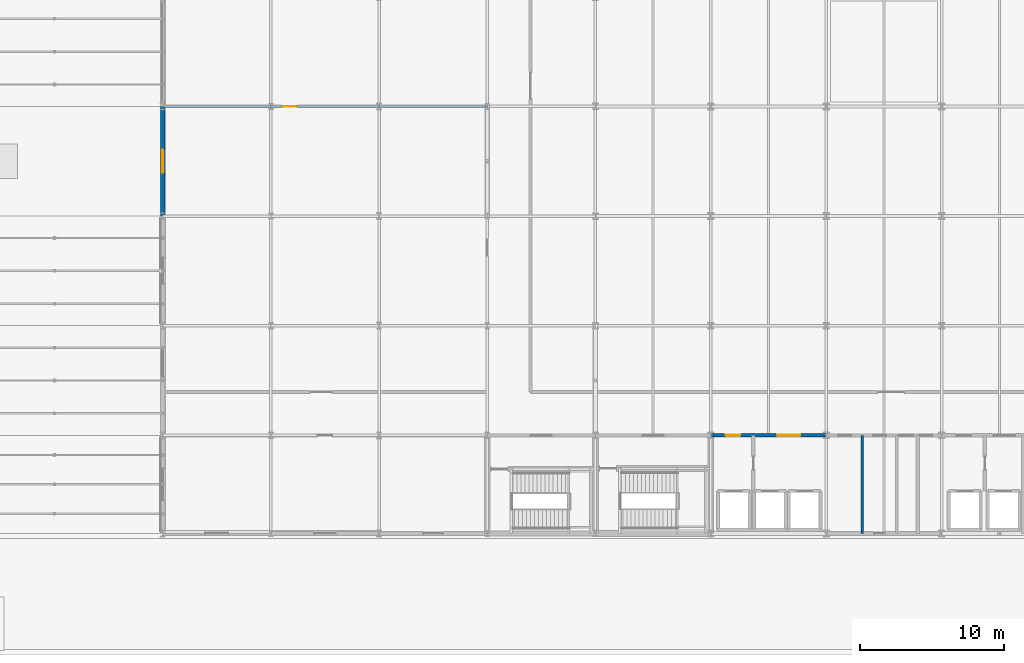
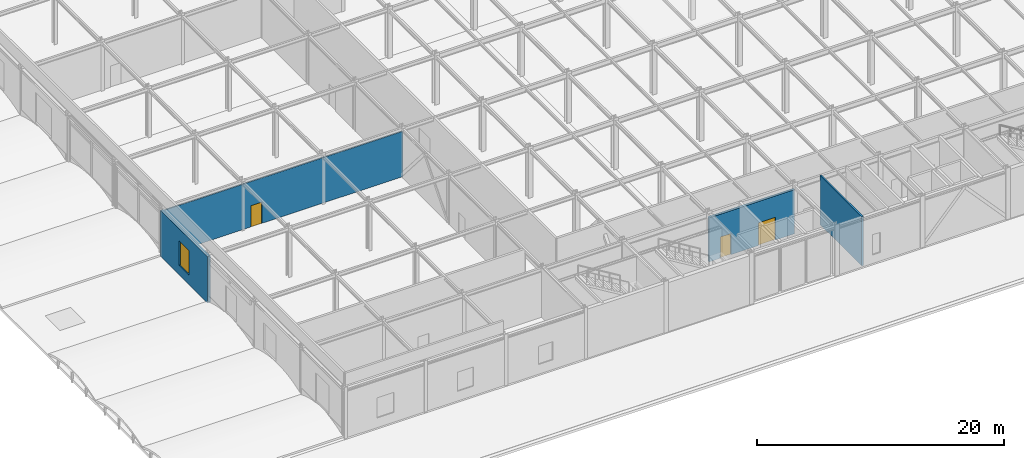
# One storey, part 94 of 113: 4 walls, 3 doors, 1 window, 4 openings.
"""IFC4 building model written with IfcOpenShell, lengths in metres."""

from ifc_helpers import new_model, si_unit, direction, frame, frame_2d, origin, place, context, subcontext, project, spatial, rectangle, extrude, material, layer, layer_set, type_object, element, fill, save


model = new_model("IFC4")

# Units and contexts
model_context = context("Model", 3, precision=1e-05, world=origin(), true_north=direction((0.0, 1.0)))
body_context = subcontext(model_context, "Body", "Model", "MODEL_VIEW")
ifc_project = project(units=[si_unit("LENGTHUNIT", "METRE"), si_unit("AREAUNIT", "SQUARE_METRE"), si_unit("VOLUMEUNIT", "CUBIC_METRE"), si_unit("PLANEANGLEUNIT", "RADIAN"), si_unit("MASSUNIT", "GRAM", prefix="KILO")], contexts=[model_context])

# Site, building, storey
site_placement = place(None, origin())
site = spatial("IfcSite", under=ifc_project, at=site_placement, CompositionType="ELEMENT")
building_placement = place(site_placement, origin())
building = spatial("IfcBuilding", under=site, at=building_placement, Name="Shalkamar Park Central Library", CompositionType="ELEMENT")
storey_placement = place(building_placement, frame((0.0, 0.0, 5.39990234375)))
storey = spatial("IfcBuildingStorey", under=building, at=storey_placement, Name="L02", CompositionType="ELEMENT", Elevation=5.39990234375)

# Wall, openings, doors
ifc_material_1 = material(Name="Reinforced fire-compartment masonry wall", Category="masonry")
ifc_layer_1 = layer(ifc_material_1, 0.239990234375)
ifc_layer_set_1 = layer_set([ifc_layer_1], Name="CompartmentWall_240")
wall_type_1 = type_object("IfcWallType", Name="Compartment Wall 240", PredefinedType="PARTITIONING", material=ifc_layer_set_1)
wall_1_placement = place(storey_placement, frame((173.0, 255.199951171875, 0.0), z_axis=(0.0, 0.0, 1.0), x_axis=(1.0, 0.0, 0.0)))
wall_1 = element("IfcWall", 1, at=wall_1_placement, inside=storey, type_object=wall_type_1, Name="Interior Partition WL-INT-L02-007", PredefinedType="PARTITIONING", context=body_context, shape_type="SweptSolid", body=[
    extrude(rectangle(XDim=8.0, YDim=0.239990234375, at=frame_2d((4.0, 0.0))), origin(), (0.0, 0.0, 1.0), 4.358154296875),
])
opening_1_placement = place(wall_1_placement, frame((1.050048828125, 0.0, 0.0)))
opening_1 = element("IfcOpeningElement", 2, at=opening_1_placement, cuts=wall_1, Name="Opening DR-L02-003", PredefinedType="OPENING", context=body_context, shape_type="SweptSolid", body=[
    extrude(rectangle(XDim=1.0, YDim=2.10009765625, at=frame_2d((0.5, 1.050048828125))), frame((0.0, 0.134765625, 0.0), z_axis=(0.0, -1.0, 0.0), x_axis=(1.0, 0.0, 0.0)), (0.0, 0.0, 1.0), 0.269775390625),
])
opening_2_placement = place(wall_1_placement, frame((4.60009765625, 0.0, 0.0)))
opening_2 = element("IfcOpeningElement", 3, at=opening_2_placement, cuts=wall_1, Name="Opening DR-L02-004", PredefinedType="OPENING", context=body_context, shape_type="SweptSolid", body=[
    extrude(rectangle(XDim=1.60009765625, YDim=2.25, at=frame_2d((0.800048828125, 1.125))), frame((0.0, 0.134765625, 0.0), z_axis=(0.0, -1.0, 0.0), x_axis=(1.0, 0.0, 0.0)), (0.0, 0.0, 1.0), 0.269775390625),
])
ifc_material_2 = material(Name="Steel S355", Category="steel")
door_type_1 = type_object("IfcDoorType", Name="Fire Door Single 1000x2100", OperationType="NOTDEFINED", PredefinedType="DOOR", material=ifc_material_2)
door_1_placement = place(opening_1_placement, frame((1.0, 0.0, 0.0), z_axis=(0.0, 0.0, 1.0), x_axis=(-1.0, 0.0, 0.0)))
door_1 = element("IfcDoor", 4, at=door_1_placement, inside=storey, type_object=door_type_1, Name="West Firefighting Lobby Door", OperationType="SINGLE_SWING_RIGHT", OverallHeight=2.10009765625, OverallWidth=1.0, PredefinedType="DOOR", context=body_context, shape_type="SweptSolid", body=[
    extrude(rectangle(XDim=1.0, YDim=2.10009765625, at=frame_2d((0.5, 1.050048828125))), frame((0.0, 0.02490234375, 0.0), z_axis=(0.0, -1.0, 0.0), x_axis=(1.0, 0.0, 0.0)), (0.0, 0.0, 1.0), 0.050048828125),
])
fill(opening_1, door_1)
door_type_2 = type_object("IfcDoorType", Name="Interior Door Double 1600x2250", OperationType="DOUBLE_DOOR_SINGLE_SWING", PredefinedType="DOOR", material=ifc_material_2)
door_2_placement = place(opening_2_placement, origin())
door_2 = element("IfcDoor", 5, at=door_2_placement, inside=storey, type_object=door_type_2, Name="West Lift Lobby Entrance", OperationType="DOUBLE_DOOR_SINGLE_SWING", OverallHeight=2.25, OverallWidth=1.60009765625, PredefinedType="DOOR", context=body_context, shape_type="SweptSolid", body=[
    extrude(rectangle(XDim=1.60009765625, YDim=2.25, at=frame_2d((0.800048828125, 1.125))), frame((0.0, 0.02490234375, 0.0), z_axis=(0.0, -1.0, 0.0), x_axis=(1.0, 0.0, 0.0)), (0.0, 0.0, 1.0), 0.050048828125),
])
fill(opening_2, door_2)

# Wall
ifc_material_3 = material(Name="Moisture-resistant sanitary partition", Category="masonry")
ifc_layer_2 = layer(ifc_material_3, 0.159912109375)
ifc_layer_set_2 = layer_set([ifc_layer_2], Name="PlumbingChaseWall_160")
wall_type_2 = type_object("IfcWallType", Name="Plumbing Chase Wall 160", PredefinedType="PARTITIONING", material=ifc_layer_set_2)
wall_2_placement = place(storey_placement, frame((183.5, 248.39990234375, 0.0), z_axis=(0.0, 0.0, 1.0), x_axis=(0.0, 1.0, 0.0)))
element("IfcWall", 6, at=wall_2_placement, inside=storey, type_object=wall_type_2, Name="Interior Partition WL-INT-L02-004", PredefinedType="PARTITIONING", context=body_context, shape_type="SweptSolid", body=[
    extrude(rectangle(XDim=6.800048828125, YDim=0.159912109375, at=frame_2d((3.39990234375, 0.0))), origin(), (0.0, 0.0, 1.0), 4.860107421875),
])

# Wall, opening, door
ifc_material_4 = material(Name="Lightweight acoustic stud partition", Category="masonry")
ifc_layer_3 = layer(ifc_material_4, 0.1201171875)
ifc_layer_set_3 = layer_set([ifc_layer_3], Name="StandardPartition_120")
wall_type_3 = type_object("IfcWallType", Name="Standard Partition 120", PredefinedType="PARTITIONING", material=ifc_layer_set_3)
wall_3_placement = place(storey_placement, frame((135.0, 278.0, 0.0), z_axis=(0.0, 0.0, 1.0), x_axis=(1.0, 0.0, 0.0)))
wall_3 = element("IfcWall", 7, at=wall_3_placement, inside=storey, type_object=wall_type_3, Name="Interior Partition WL-INT-L02-022", PredefinedType="PARTITIONING", context=body_context, shape_type="SweptSolid", body=[
    extrude(rectangle(XDim=22.5, YDim=0.1201171875, at=frame_2d((11.25, 0.0))), origin(), (0.0, 0.0, 1.0), 4.488037109375),
])
opening_3_placement = place(wall_3_placement, frame((8.300048828125, 0.0, 0.0)))
opening_3 = element("IfcOpeningElement", 8, at=opening_3_placement, cuts=wall_3, Name="Opening DR-L02-024", PredefinedType="OPENING", context=body_context, shape_type="SweptSolid", body=[
    extrude(rectangle(XDim=1.0, YDim=2.10009765625, at=frame_2d((0.5, 1.050048828125))), frame((0.0, 0.074951171875, 0.0), z_axis=(0.0, -1.0, 0.0), x_axis=(1.0, 0.0, 0.0)), (0.0, 0.0, 1.0), 0.14990234375),
])
door_type_3 = type_object("IfcDoorType", Name="Interior Door Single 1000x2100", OperationType="NOTDEFINED", PredefinedType="DOOR", material=ifc_material_2)
door_3_placement = place(opening_3_placement, origin())
door_3 = element("IfcDoor", 9, at=door_3_placement, inside=storey, type_object=door_type_3, Name="Cataloguing Suite Interconnect Door", OperationType="SINGLE_SWING_LEFT", OverallHeight=2.10009765625, OverallWidth=1.0, PredefinedType="DOOR", context=body_context, shape_type="SweptSolid", body=[
    extrude(rectangle(XDim=1.0, YDim=2.10009765625, at=frame_2d((0.5, 1.050048828125))), frame((0.0, 0.02490234375, 0.0), z_axis=(0.0, -1.0, 0.0), x_axis=(1.0, 0.0, 0.0)), (0.0, 0.0, 1.0), 0.050048828125),
])
fill(opening_3, door_3)

# Wall, opening, window
ifc_material_5 = material(Name="Travertine insulated rainscreen", Category="masonry")
ifc_layer_4 = layer(ifc_material_5, 0.2900390625)
ifc_layer_set_4 = layer_set([ifc_layer_4], Name="TravertineTerracottaWall_290")
wall_type_4 = type_object("IfcWallType", Name="Travertine Terracotta Wall 290", PredefinedType="SOLIDWALL", material=ifc_layer_set_4)
wall_4_placement = place(storey_placement, frame((135.0, 270.406005859375, 0.0), z_axis=(0.0, 0.0, 1.0), x_axis=(0.0, 1.0, 0.0)))
wall_4 = element("IfcWall", 10, at=wall_4_placement, inside=storey, type_object=wall_type_4, Name="Exterior Facade Wall WL-EXT-L02-071", PredefinedType="SOLIDWALL", context=body_context, shape_type="SweptSolid", body=[
    extrude(rectangle(XDim=7.587890625, YDim=0.2900390625, at=frame_2d((3.7939453125, 0.0))), origin(), (0.0, 0.0, 1.0), 4.578125),
])
opening_4_placement = place(wall_4_placement, frame((2.993896484375, 0.0, 0.949951171875)))
opening_4 = element("IfcOpeningElement", 11, at=opening_4_placement, cuts=wall_4, Name="Opening WN-07", PredefinedType="OPENING", context=body_context, shape_type="SweptSolid", body=[
    extrude(rectangle(XDim=1.60009765625, YDim=2.39990234375, at=frame_2d((0.800048828125, 1.199951171875))), frame((0.0, 0.159912109375, 0.0), z_axis=(0.0, -1.0, 0.0), x_axis=(1.0, 0.0, 0.0)), (0.0, 0.0, 1.0), 0.31982421875),
])
ifc_material_6 = material(Name="Thermally broken aluminium and triple low-e glass", Category="glass")
window_type = type_object("IfcWindowType", Name="Podium Window 1600x2400", PartitioningType="SINGLE_PANEL", PredefinedType="WINDOW", material=ifc_material_6)
window_placement = place(opening_4_placement, origin())
window = element("IfcWindow", 12, at=window_placement, inside=storey, type_object=window_type, Name="Facade Window WN-L02-036", OverallHeight=2.39990234375, OverallWidth=1.60009765625, PartitioningType="SINGLE_PANEL", PredefinedType="WINDOW", context=body_context, shape_type="SweptSolid", body=[
    extrude(rectangle(XDim=1.60009765625, YDim=2.39990234375, at=frame_2d((0.800048828125, 1.199951171875))), frame((0.0, 0.030029296875, 0.0), z_axis=(0.0, -1.0, 0.0), x_axis=(1.0, 0.0, 0.0)), (0.0, 0.0, 1.0), 0.06005859375),
])
fill(opening_4, window)

save(model, "model.ifc")
